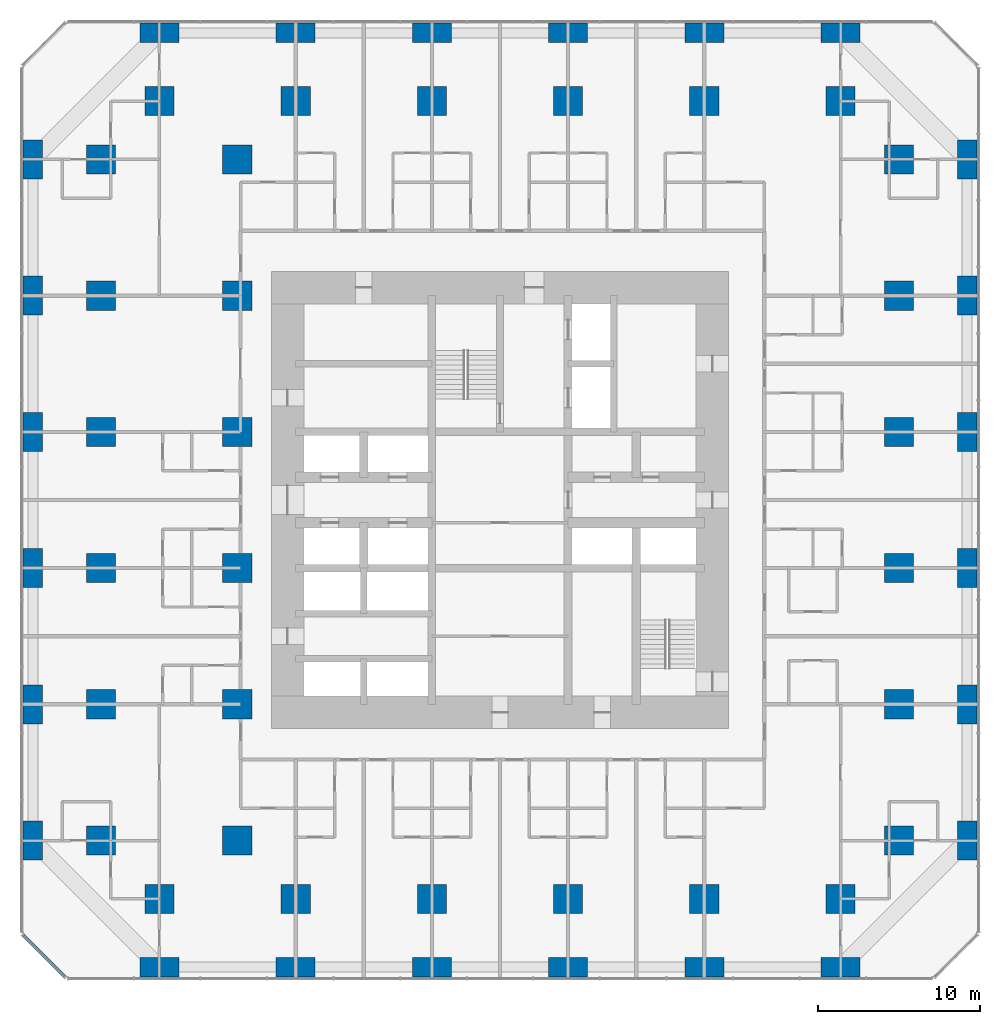
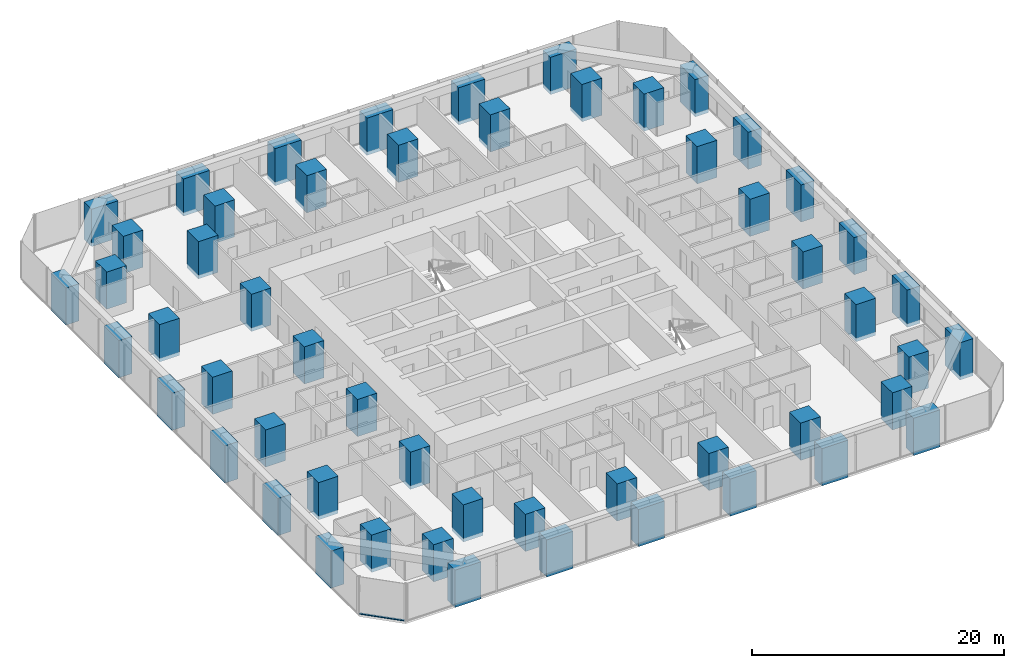
# One storey, part 1 of 18: 54 columns, 1 member, 1 element without a shape of its own.
"""IFC4 building model written with IfcOpenShell, lengths in metres."""

from ifc_helpers import new_model, si_unit, direction, frame, origin, origin_2d, place, context, subcontext, project, spatial, rectangle, extrude, material, material_profile, profile_set, type_object, element, aggregate, save


model = new_model("IFC4")

# Units and contexts
model_context = context("Model", 3, precision=1e-05, world=origin(), true_north=direction((0.0, 1.0)))
body_context = subcontext(model_context, "Body", "Model", "MODEL_VIEW")
ifc_project = project(units=[si_unit("LENGTHUNIT", "METRE"), si_unit("AREAUNIT", "SQUARE_METRE"), si_unit("VOLUMEUNIT", "CUBIC_METRE"), si_unit("PLANEANGLEUNIT", "RADIAN"), si_unit("MASSUNIT", "GRAM", prefix="KILO")], contexts=[model_context])

# Site, building, storey
site_placement = place(None, origin())
site = spatial("IfcSite", under=ifc_project, at=site_placement, CompositionType="ELEMENT")
building_placement = place(site_placement, origin())
building = spatial("IfcBuilding", under=site, at=building_placement, Name="Dunama Terrace Hotel", CompositionType="ELEMENT")
storey_placement = place(building_placement, frame((0.0, 0.0, 27.0)))
storey = spatial("IfcBuildingStorey", under=building, at=storey_placement, Name="L05", CompositionType="ELEMENT", Elevation=27.0)

# Columns
ifc_material_1 = material(Name="Concrete C60/75", Category="concrete")
ifc_material_profile_1 = material_profile(ifc_material_1, rectangle(XDim=1.199951171875, YDim=2.39990234375, at=origin_2d()), Name="RC 1200x2400")
ifc_profile_set_1 = profile_set([ifc_material_profile_1], Name="Concrete C60/75")
column_type_1 = type_object("IfcColumnType", Name="Column RC 1200x2400", PredefinedType="COLUMN", material=ifc_profile_set_1)
for number, where, z_axis, x_axis, name in (
    (1, (0.60009765625, 8.39990234375, -0.35009765625), (0.0, 0.0, 1.0), (1.0, 0.0, 0.0), "Column L05 +0.6/+8.4"),
    (2, (0.60009765625, 16.800048828125, -0.35009765625), (0.0, 0.0, 1.0), (1.0, 0.0, 0.0), "Column L05 +0.6/+16.8"),
    (3, (0.60009765625, 25.199951171875, -0.35009765625), (0.0, 0.0, 1.0), (1.0, 0.0, 0.0), "Column L05 +0.6/+25.2"),
    (4, (0.60009765625, 33.60009765625, -0.35009765625), (0.0, 0.0, 1.0), (1.0, 0.0, 0.0), "Column L05 +0.6/+33.6"),
    (5, (0.60009765625, 42.0, -0.35009765625), (0.0, 0.0, 1.0), (1.0, 0.0, 0.0), "Column L05 +0.6/+42.0"),
    (6, (0.60009765625, 50.39990234375, -0.35009765625), (0.0, 0.0, 1.0), (1.0, 0.0, 0.0), "Column L05 +0.6/+50.4"),
    (7, (58.199951171875, 8.39990234375, -0.35009765625), (0.0, 0.0, 1.0), (1.0, 0.0, 0.0), "Column L05 +58.2/+8.4"),
    (8, (58.199951171875, 16.800048828125, -0.35009765625), (0.0, 0.0, 1.0), (1.0, 0.0, 0.0), "Column L05 +58.2/+16.8"),
    (9, (58.199951171875, 25.199951171875, -0.35009765625), (0.0, 0.0, 1.0), (1.0, 0.0, 0.0), "Column L05 +58.2/+25.2"),
    (10, (58.199951171875, 33.60009765625, -0.35009765625), (0.0, 0.0, 1.0), (1.0, 0.0, 0.0), "Column L05 +58.2/+33.6"),
    (11, (58.199951171875, 42.0, -0.35009765625), (0.0, 0.0, 1.0), (1.0, 0.0, 0.0), "Column L05 +58.2/+42.0"),
    (12, (58.199951171875, 50.39990234375, -0.35009765625), (0.0, 0.0, 1.0), (1.0, 0.0, 0.0), "Column L05 +58.2/+50.4"),
):
    element("IfcColumn", number, at=place(storey_placement, frame(where, z_axis=z_axis, x_axis=x_axis)), inside=storey, type_object=column_type_1, Name=name, PredefinedType="COLUMN", context=body_context, shape_type="SweptSolid", body=[
        extrude(rectangle(XDim=1.199951171875, YDim=2.39990234375, at=origin_2d()), origin(), (0.0, 0.0, 1.0), 3.60009765625),
    ])
ifc_material_2 = material(Name="Concrete C60/75", Category="concrete")
ifc_material_profile_2 = material_profile(ifc_material_2, rectangle(XDim=1.800048828125, YDim=1.800048828125, at=origin_2d()), Name="RC 1800x1800")
ifc_profile_set_2 = profile_set([ifc_material_profile_2], Name="Concrete C60/75")
column_type_2 = type_object("IfcColumnType", Name="Column RC 1800x1800", PredefinedType="COLUMN", material=ifc_profile_set_2)
for number, where, z_axis, x_axis, name in (
    (13, (4.800048828125, 8.39990234375, -0.35009765625), (0.0, 0.0, 1.0), (1.0, 0.0, 0.0), "Column L05 +4.8/+8.4"),
    (14, (4.800048828125, 16.800048828125, -0.35009765625), (0.0, 0.0, 1.0), (1.0, 0.0, 0.0), "Column L05 +4.8/+16.8"),
    (15, (4.800048828125, 25.199951171875, -0.35009765625), (0.0, 0.0, 1.0), (1.0, 0.0, 0.0), "Column L05 +4.8/+25.2"),
    (16, (4.800048828125, 33.60009765625, -0.35009765625), (0.0, 0.0, 1.0), (1.0, 0.0, 0.0), "Column L05 +4.8/+33.6"),
    (17, (4.800048828125, 42.0, -0.35009765625), (0.0, 0.0, 1.0), (1.0, 0.0, 0.0), "Column L05 +4.8/+42.0"),
    (18, (4.800048828125, 50.39990234375, -0.35009765625), (0.0, 0.0, 1.0), (1.0, 0.0, 0.0), "Column L05 +4.8/+50.4"),
    (19, (8.39990234375, 4.800048828125, -0.35009765625), (0.0, 0.0, 1.0), (1.0, 0.0, 0.0), "Column L05 +8.4/+4.8"),
    (20, (8.39990234375, 54.0, -0.35009765625), (0.0, 0.0, 1.0), (1.0, 0.0, 0.0), "Column L05 +8.4/+54.0"),
    (21, (13.199951171875, 8.39990234375, -0.35009765625), (0.0, 0.0, 1.0), (1.0, 0.0, 0.0), "Column L05 +13.2/+8.4"),
    (22, (13.199951171875, 16.800048828125, -0.35009765625), (0.0, 0.0, 1.0), (1.0, 0.0, 0.0), "Column L05 +13.2/+16.8"),
    (23, (13.199951171875, 25.199951171875, -0.35009765625), (0.0, 0.0, 1.0), (1.0, 0.0, 0.0), "Column L05 +13.2/+25.2"),
    (24, (13.199951171875, 33.60009765625, -0.35009765625), (0.0, 0.0, 1.0), (1.0, 0.0, 0.0), "Column L05 +13.2/+33.6"),
    (25, (13.199951171875, 42.0, -0.35009765625), (0.0, 0.0, 1.0), (1.0, 0.0, 0.0), "Column L05 +13.2/+42.0"),
    (26, (13.199951171875, 50.39990234375, -0.35009765625), (0.0, 0.0, 1.0), (1.0, 0.0, 0.0), "Column L05 +13.2/+50.4"),
    (27, (16.800048828125, 4.800048828125, -0.35009765625), (0.0, 0.0, 1.0), (1.0, 0.0, 0.0), "Column L05 +16.8/+4.8"),
    (28, (16.800048828125, 54.0, -0.35009765625), (0.0, 0.0, 1.0), (1.0, 0.0, 0.0), "Column L05 +16.8/+54.0"),
    (29, (25.199951171875, 4.800048828125, -0.35009765625), (0.0, 0.0, 1.0), (1.0, 0.0, 0.0), "Column L05 +25.2/+4.8"),
    (30, (25.199951171875, 54.0, -0.35009765625), (0.0, 0.0, 1.0), (1.0, 0.0, 0.0), "Column L05 +25.2/+54.0"),
    (31, (33.60009765625, 4.800048828125, -0.35009765625), (0.0, 0.0, 1.0), (1.0, 0.0, 0.0), "Column L05 +33.6/+4.8"),
    (32, (33.60009765625, 54.0, -0.35009765625), (0.0, 0.0, 1.0), (1.0, 0.0, 0.0), "Column L05 +33.6/+54.0"),
    (33, (42.0, 4.800048828125, -0.35009765625), (0.0, 0.0, 1.0), (1.0, 0.0, 0.0), "Column L05 +42.0/+4.8"),
    (34, (42.0, 54.0, -0.35009765625), (0.0, 0.0, 1.0), (1.0, 0.0, 0.0), "Column L05 +42.0/+54.0"),
    (35, (50.39990234375, 4.800048828125, -0.35009765625), (0.0, 0.0, 1.0), (1.0, 0.0, 0.0), "Column L05 +50.4/+4.8"),
    (36, (50.39990234375, 54.0, -0.35009765625), (0.0, 0.0, 1.0), (1.0, 0.0, 0.0), "Column L05 +50.4/+54.0"),
    (37, (54.0, 8.39990234375, -0.35009765625), (0.0, 0.0, 1.0), (1.0, 0.0, 0.0), "Column L05 +54.0/+8.4"),
    (38, (54.0, 16.800048828125, -0.35009765625), (0.0, 0.0, 1.0), (1.0, 0.0, 0.0), "Column L05 +54.0/+16.8"),
    (39, (54.0, 25.199951171875, -0.35009765625), (0.0, 0.0, 1.0), (1.0, 0.0, 0.0), "Column L05 +54.0/+25.2"),
    (40, (54.0, 33.60009765625, -0.35009765625), (0.0, 0.0, 1.0), (1.0, 0.0, 0.0), "Column L05 +54.0/+33.6"),
    (41, (54.0, 42.0, -0.35009765625), (0.0, 0.0, 1.0), (1.0, 0.0, 0.0), "Column L05 +54.0/+42.0"),
    (42, (54.0, 50.39990234375, -0.35009765625), (0.0, 0.0, 1.0), (1.0, 0.0, 0.0), "Column L05 +54.0/+50.4"),
):
    element("IfcColumn", number, at=place(storey_placement, frame(where, z_axis=z_axis, x_axis=x_axis)), inside=storey, type_object=column_type_2, Name=name, PredefinedType="COLUMN", context=body_context, shape_type="SweptSolid", body=[
        extrude(rectangle(XDim=1.800048828125, YDim=1.800048828125, at=origin_2d()), origin(), (0.0, 0.0, 1.0), 3.60009765625),
    ])
ifc_material_3 = material(Name="Concrete C60/75", Category="concrete")
ifc_material_profile_3 = material_profile(ifc_material_3, rectangle(XDim=2.39990234375, YDim=1.199951171875, at=origin_2d()), Name="RC 2400x1200")
ifc_profile_set_3 = profile_set([ifc_material_profile_3], Name="Concrete C60/75")
column_type_3 = type_object("IfcColumnType", Name="Column RC 2400x1200", PredefinedType="COLUMN", material=ifc_profile_set_3)
for number, where, z_axis, x_axis, name in (
    (43, (8.39990234375, 0.60009765625, -0.35009765625), (0.0, 0.0, 1.0), (1.0, 0.0, 0.0), "Column L05 +8.4/+0.6"),
    (44, (8.39990234375, 58.199951171875, -0.35009765625), (0.0, 0.0, 1.0), (1.0, 0.0, 0.0), "Column L05 +8.4/+58.2"),
    (45, (16.800048828125, 0.60009765625, -0.35009765625), (0.0, 0.0, 1.0), (1.0, 0.0, 0.0), "Column L05 +16.8/+0.6"),
    (46, (16.800048828125, 58.199951171875, -0.35009765625), (0.0, 0.0, 1.0), (1.0, 0.0, 0.0), "Column L05 +16.8/+58.2"),
    (47, (25.199951171875, 0.60009765625, -0.35009765625), (0.0, 0.0, 1.0), (1.0, 0.0, 0.0), "Column L05 +25.2/+0.6"),
    (48, (25.199951171875, 58.199951171875, -0.35009765625), (0.0, 0.0, 1.0), (1.0, 0.0, 0.0), "Column L05 +25.2/+58.2"),
    (49, (33.60009765625, 0.60009765625, -0.35009765625), (0.0, 0.0, 1.0), (1.0, 0.0, 0.0), "Column L05 +33.6/+0.6"),
    (50, (33.60009765625, 58.199951171875, -0.35009765625), (0.0, 0.0, 1.0), (1.0, 0.0, 0.0), "Column L05 +33.6/+58.2"),
    (51, (42.0, 0.60009765625, -0.35009765625), (0.0, 0.0, 1.0), (1.0, 0.0, 0.0), "Column L05 +42.0/+0.6"),
    (52, (42.0, 58.199951171875, -0.35009765625), (0.0, 0.0, 1.0), (1.0, 0.0, 0.0), "Column L05 +42.0/+58.2"),
    (53, (50.39990234375, 0.60009765625, -0.35009765625), (0.0, 0.0, 1.0), (1.0, 0.0, 0.0), "Column L05 +50.4/+0.6"),
    (54, (50.39990234375, 58.199951171875, -0.35009765625), (0.0, 0.0, 1.0), (1.0, 0.0, 0.0), "Column L05 +50.4/+58.2"),
):
    element("IfcColumn", number, at=place(storey_placement, frame(where, z_axis=z_axis, x_axis=x_axis)), inside=storey, type_object=column_type_3, Name=name, PredefinedType="COLUMN", context=body_context, shape_type="SweptSolid", body=[
        extrude(rectangle(XDim=2.39990234375, YDim=1.199951171875, at=origin_2d()), origin(), (0.0, 0.0, 1.0), 3.60009765625),
    ])

# Curtain wall, member
ifc_material_4 = material(Name="Aluminium curtain wall system", Category="aluminium")
curtain_wall_type = type_object("IfcCurtainWallType", Name="Unitised fritted glass wall CW-A", PredefinedType="NOTDEFINED", material=ifc_material_4)
curtain_wall_placement = place(storey_placement, origin())
curtain_wall = element("IfcCurtainWall", 55, at=curtain_wall_placement, inside=storey, type_object=curtain_wall_type, Name="Unitised fritted glass wall CW-A L05", PredefinedType="NOTDEFINED")
ifc_material_5 = material(Name="Aluminium transom", Category="aluminium")
ifc_material_profile_4 = material_profile(ifc_material_5, rectangle(XDim=0.179931640625, YDim=0.074951171875, at=origin_2d()), Name="CWA TRANSOM 180X75")
ifc_profile_set_4 = profile_set([ifc_material_profile_4], Name="Aluminium transom")
member_type = type_object("IfcMemberType", Name="CWA transom 180x75", PredefinedType="USERDEFINED", material=ifc_profile_set_4)
member_placement = place(storey_placement, frame((-0.02490234375, 2.5830078125, 0.03759765625), z_axis=(0.707106781187, -0.707106781187, 0.0), x_axis=(0.707106781187, 0.707106781187, 0.0)))
member = element("IfcMember", 56, at=member_placement, type_object=member_type, Name="CWA transom", ObjectType="TRANSOM", PredefinedType="USERDEFINED", context=body_context, shape_type="SweptSolid", body=[
    extrude(rectangle(XDim=0.179931640625, YDim=0.074951171875, at=origin_2d()), origin(), (0.0, 0.0, 1.0), 3.688232421875),
])
aggregate(curtain_wall, [member])

save(model, "model.ifc")
